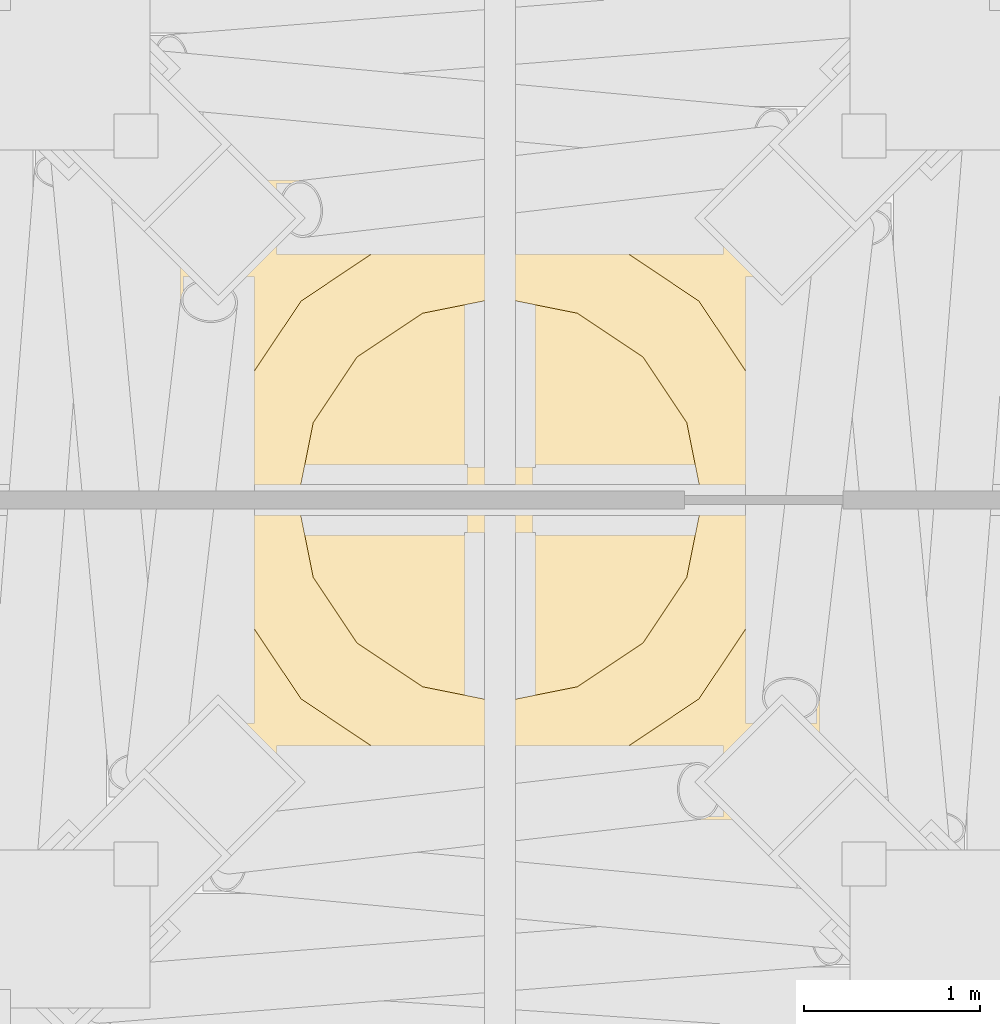
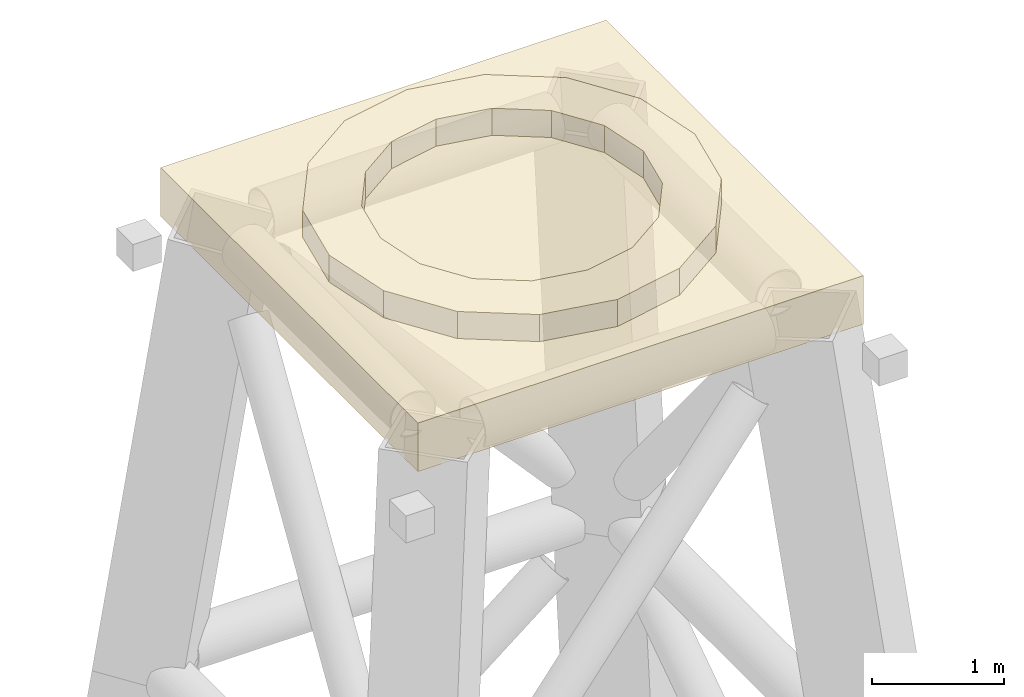
# One storey, part 30 of 32: 2 coverings.
"""IFC4 building model written with IfcOpenShell, lengths in metres."""

from ifc_helpers import new_model, si_unit, direction, frame, origin, origin_2d, place, context, subcontext, project, spatial, polyline, rectangle, outline, extrude, material, layer, layer_set, type_object, element, save


model = new_model("IFC4")

# Units and contexts
model_context = context("Model", 3, precision=1e-05, world=origin(), true_north=direction((0.0, 1.0)))
body_context = subcontext(model_context, "Body", "Model", "MODEL_VIEW")
ifc_project = project(units=[si_unit("LENGTHUNIT", "METRE"), si_unit("AREAUNIT", "SQUARE_METRE"), si_unit("VOLUMEUNIT", "CUBIC_METRE"), si_unit("PLANEANGLEUNIT", "RADIAN"), si_unit("MASSUNIT", "GRAM", prefix="KILO")], contexts=[model_context])

# Site, building, storey
site_placement = place(None, origin())
site = spatial("IfcSite", under=ifc_project, at=site_placement, CompositionType="ELEMENT")
building_placement = place(site_placement, origin())
building = spatial("IfcBuilding", under=site, at=building_placement, Name="Cobrizo Arcos Hotel Tower", CompositionType="ELEMENT")
storey_placement = place(building_placement, frame((0.0, 0.0, 265.5)))
storey = spatial("IfcBuildingStorey", under=building, at=storey_placement, Name="L70", CompositionType="ELEMENT", Elevation=265.5)

# Coverings
ifc_material_1 = material(Name="Aluminium 6063-T6 anodised bronze", Category="aluminium")
covering_type_1 = type_object("IfcCoveringType", Name="MB-1 beacon ring 3200", PredefinedType="CLADDING", material=ifc_material_1)
covering_1_placement = place(storey_placement, frame((0.0, 0.0, 52.449951171875)))
element("IfcCovering", 1, at=covering_1_placement, inside=storey, type_object=covering_type_1, Name="Mast beacon ring", PredefinedType="CLADDING", context=body_context, shape_type="SweptSolid", body=[
    extrude(outline(polyline([(1.60009765625, 0.0), (1.478271484375, 0.6123046875), (1.13134765625, 1.13134765625), (0.6123046875, 1.478271484375), (0.0, 1.60009765625), (-0.6123046875, 1.478271484375), (-1.13134765625, 1.13134765625), (-1.478271484375, 0.6123046875), (-1.60009765625, 0.0), (-1.478271484375, -0.6123046875), (-1.13134765625, -1.13134765625), (-0.6123046875, -1.478271484375), (0.0, -1.60009765625), (0.6123046875, -1.478271484375), (1.13134765625, -1.13134765625), (1.478271484375, -0.6123046875), (1.60009765625, 0.0)]), holes=[polyline([(1.14990234375, 0.0), (1.0625, 0.440185546875), (0.813232421875, 0.813232421875), (0.440185546875, 1.0625), (0.0, 1.14990234375), (-0.440185546875, 1.0625), (-0.813232421875, 0.813232421875), (-1.0625, 0.440185546875), (-1.14990234375, 0.0), (-1.0625, -0.440185546875), (-0.813232421875, -0.813232421875), (-0.440185546875, -1.0625), (0.0, -1.14990234375), (0.440185546875, -1.0625), (0.813232421875, -0.813232421875), (1.0625, -0.440185546875), (1.14990234375, 0.0)])]), origin(), (0.0, 0.0, 1.0), 0.25),
])
ifc_material_2 = material(Name="Aluminium 6063-T6 anodised pale", Category="aluminium")
ifc_layer = layer(ifc_material_2, 0.449951171875)
ifc_layer_set = layer_set([ifc_layer], Name="MC-1 mast cap plate 3900")
covering_type_2 = type_object("IfcCoveringType", Name="MC-1 mast cap plate 3900", PredefinedType="CLADDING", material=ifc_layer_set)
covering_2_placement = place(storey_placement, frame((0.0, 0.0, 52.0), z_axis=(0.0, 0.0, 1.0), x_axis=(1.0, 0.0, 0.0)))
element("IfcCovering", 2, at=covering_2_placement, inside=storey, type_object=covering_type_2, Name="Mast cap plate", PredefinedType="CLADDING", context=body_context, shape_type="SweptSolid", body=[
    extrude(rectangle(XDim=3.89990234375, YDim=3.89990234375, at=origin_2d()), origin(), (0.0, 0.0, 1.0), 0.449951171875),
])

save(model, "model.ifc")
